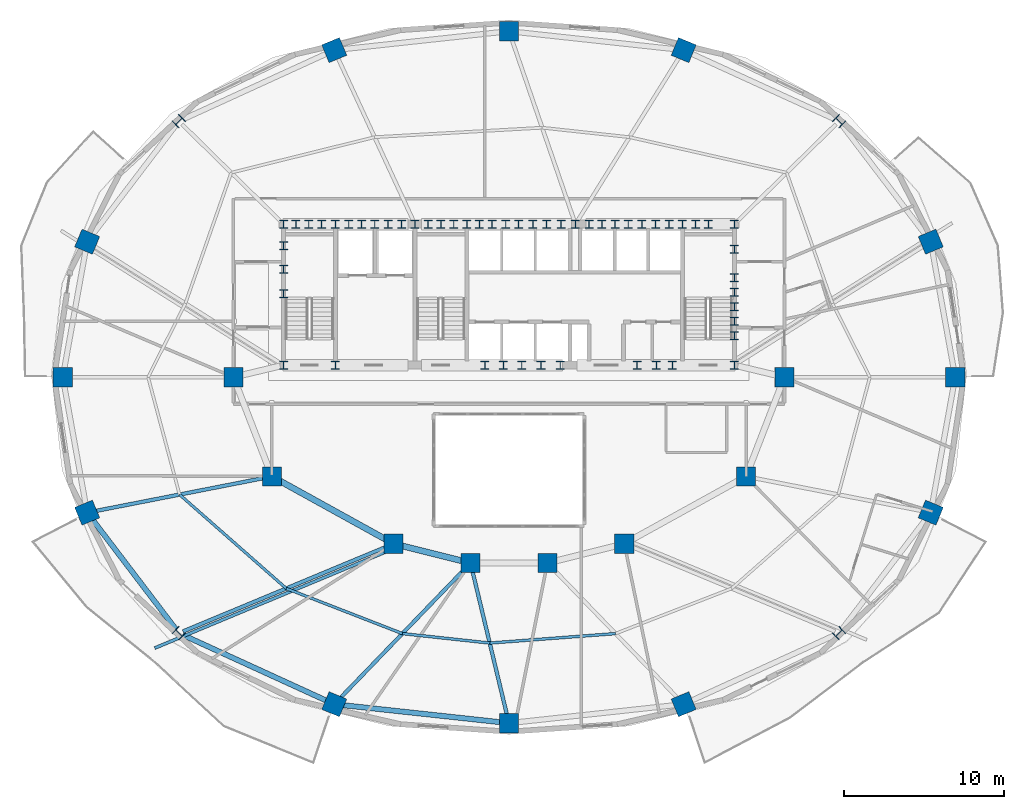
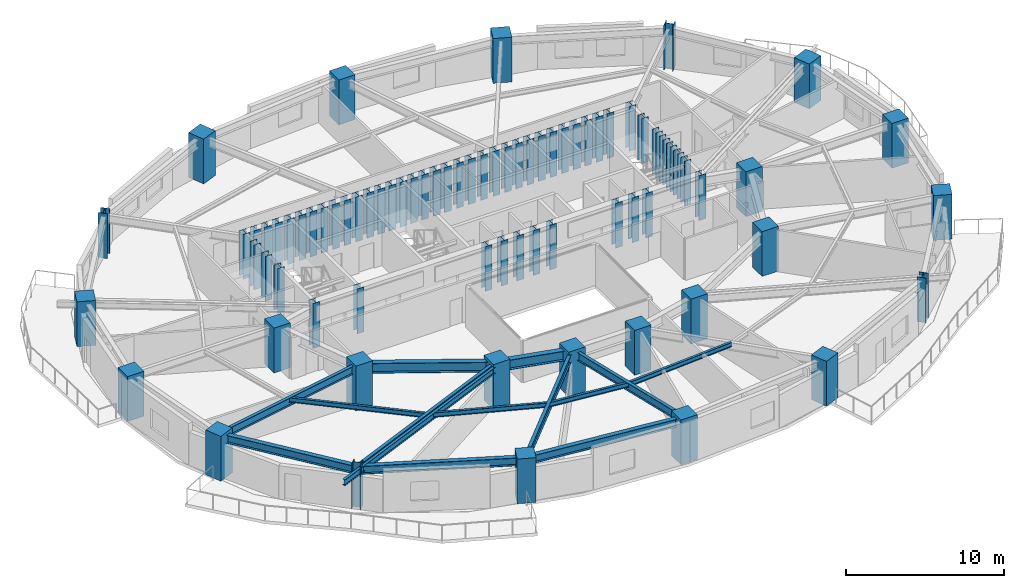
# One storey, part 1 of 12: 78 columns, 14 beams.
"""IFC4 building model written with IfcOpenShell, lengths in metres."""

from ifc_helpers import new_model, si_unit, direction, frame, origin, origin_2d, place, context, subcontext, project, spatial, rectangle, i_section, extrude, material, material_profile, profile_set, type_object, element, save


model = new_model("IFC4")

# Units and contexts
model_context = context("Model", 3, precision=1e-05, world=origin(), true_north=direction((0.0, 1.0)))
body_context = subcontext(model_context, "Body", "Model", "MODEL_VIEW")
ifc_project = project(units=[si_unit("LENGTHUNIT", "METRE"), si_unit("AREAUNIT", "SQUARE_METRE"), si_unit("VOLUMEUNIT", "CUBIC_METRE"), si_unit("PLANEANGLEUNIT", "RADIAN"), si_unit("MASSUNIT", "GRAM", prefix="KILO")], contexts=[model_context])

# Site, building, storey
site_placement = place(None, origin())
site = spatial("IfcSite", under=ifc_project, at=site_placement, CompositionType="ELEMENT")
building_placement = place(site_placement, origin())
building = spatial("IfcBuilding", under=site, at=building_placement, Name="Haldorwick Loom Tower", CompositionType="ELEMENT")
storey_placement = place(building_placement, frame((0.0, 0.0, 110.449951171875)))
storey = spatial("IfcBuildingStorey", under=building, at=storey_placement, Name="L29", CompositionType="ELEMENT", Elevation=110.449951171875)

# Columns
ifc_material_1 = material(Name="Concrete C60 (60 MPa)", Category="concrete")
ifc_material_profile_1 = material_profile(ifc_material_1, rectangle(XDim=1.199951171875, YDim=1.199951171875, at=origin_2d()), Name="RC1200X1200", Category="concrete")
ifc_profile_set_1 = profile_set([ifc_material_profile_1], Name="Concrete C60 (60 MPa)")
column_type_1 = type_object("IfcColumnType", Name="STR-COL-RC1200", PredefinedType="COLUMN", material=ifc_profile_set_1)
for number, where, z_axis, x_axis, name in (
    (1, (53.199951171875, 26.0, 0.0), (0.0, 0.0, 1.0), (1.0, 0.0, 0.0), "L29 Inner Column IC-01"),
    (2, (50.800048828125, 19.800048828125, 0.0), (0.0, 0.0, 1.0), (1.0, 0.0, 0.0), "L29 Inner Column IC-02"),
    (3, (43.199951171875, 15.60009765625, 0.0), (0.0, 0.0, 1.0), (1.0, 0.0, 0.0), "L29 Inner Column IC-03"),
    (4, (38.39990234375, 14.39990234375, 0.0), (0.0, 0.0, 1.0), (1.0, 0.0, 0.0), "L29 Inner Column IC-04"),
    (5, (33.60009765625, 14.39990234375, 0.0), (0.0, 0.0, 1.0), (1.0, 0.0, 0.0), "L29 Inner Column IC-05"),
    (6, (28.800048828125, 15.60009765625, 0.0), (0.0, 0.0, 1.0), (1.0, 0.0, 0.0), "L29 Inner Column IC-06"),
    (7, (21.199951171875, 19.800048828125, 0.0), (0.0, 0.0, 1.0), (1.0, 0.0, 0.0), "L29 Inner Column IC-07"),
    (8, (18.800048828125, 26.0, 0.0), (0.0, 0.0, 1.0), (1.0, 0.0, 0.0), "L29 Inner Column IC-08"),
    (9, (63.857666015625, 26.0, 0.0), (0.0, 0.0, 1.0), (1.0, 0.0, 0.0), "L29 Perimeter Pier Column P01"),
    (10, (62.33056640625, 34.457275390625, 0.0), (0.0, 0.0, 1.0), (0.923879532511, 0.382683432365, 0.0), "L29 Perimeter Pier Column P02"),
    (11, (46.906494140625, 46.417724609375, 0.0), (0.0, 0.0, 1.0), (0.382683432365, 0.923879532511, 0.0), "L29 Perimeter Pier Column P04"),
    (12, (36.0, 47.598388671875, 0.0), (0.0, 0.0, 1.0), (0.0, 1.0, 0.0), "L29 Perimeter Pier Column P05"),
    (13, (25.093505859375, 46.417724609375, 0.0), (0.0, 0.0, 1.0), (-0.382683432365, 0.923879532511, 0.0), "L29 Perimeter Pier Column P06"),
    (14, (9.66943359375, 34.457275390625, 0.0), (0.0, 0.0, 1.0), (-0.923879532511, 0.382683432365, 0.0), "L29 Perimeter Pier Column P08"),
    (15, (8.142333984375, 26.0, 0.0), (0.0, 0.0, 1.0), (-1.0, 0.0, 0.0), "L29 Perimeter Pier Column P09"),
    (16, (9.66943359375, 17.542724609375, 0.0), (0.0, 0.0, 1.0), (-0.923879532511, -0.382683432365, 0.0), "L29 Perimeter Pier Column P10"),
    (17, (25.093505859375, 5.582275390625, 0.0), (0.0, 0.0, 1.0), (-0.382683432365, -0.923879532511, 0.0), "L29 Perimeter Pier Column P12"),
    (18, (36.0, 4.401611328125, 0.0), (0.0, 0.0, 1.0), (0.0, -1.0, 0.0), "L29 Perimeter Pier Column P13"),
    (19, (46.906494140625, 5.582275390625, 0.0), (0.0, 0.0, 1.0), (0.382683432365, -0.923879532511, 0.0), "L29 Perimeter Pier Column P14"),
    (20, (62.33056640625, 17.542724609375, 0.0), (0.0, 0.0, 1.0), (0.923879532511, -0.382683432365, 0.0), "L29 Perimeter Pier Column P16"),
):
    element("IfcColumn", number, at=place(storey_placement, frame(where, z_axis=z_axis, x_axis=x_axis)), inside=storey, type_object=column_type_1, Name=name, PredefinedType="COLUMN", context=body_context, shape_type="SweptSolid", body=[
        extrude(rectangle(XDim=1.199951171875, YDim=1.199951171875, at=origin_2d()), origin(), (0.0, 0.0, 1.0), 3.449951171875),
    ])
ifc_material_2 = material(Name="Steel CSA G40.21 350WT", Category="steel")
ifc_material_profile_2 = material_profile(ifc_material_2, i_section(OverallWidth=0.5, OverallDepth=0.5, WebThickness=0.02197265625, FlangeThickness=0.031982421875, at=origin_2d()), Name="WWF500X500", Category="steel")
ifc_profile_set_2 = profile_set([ifc_material_profile_2], Name="Steel CSA G40.21 350WT")
column_type_2 = type_object("IfcColumnType", Name="STR-COL-WWF500", PredefinedType="COLUMN", material=ifc_profile_set_2)
for number, where, z_axis, x_axis, name in (
    (21, (21.929931640625, 35.550048828125, 0.0), (0.0, 0.0, 1.0), (1.0, 0.0, 0.0), "L29 Core Pilaster CB-01"),
    (22, (23.5, 35.550048828125, 0.0), (0.0, 0.0, 1.0), (1.0, 0.0, 0.0), "L29 Core Pilaster CB-02"),
    (23, (25.169921875, 35.550048828125, 0.0), (0.0, 0.0, 1.0), (1.0, 0.0, 0.0), "L29 Core Pilaster CB-03"),
    (24, (26.800048828125, 35.550048828125, 0.0), (0.0, 0.0, 1.0), (1.0, 0.0, 0.0), "L29 Core Pilaster CB-04"),
    (25, (28.449951171875, 35.550048828125, 0.0), (0.0, 0.0, 1.0), (1.0, 0.0, 0.0), "L29 Core Pilaster CB-05"),
    (26, (30.1298828125, 35.550048828125, 0.0), (0.0, 0.0, 1.0), (1.0, 0.0, 0.0), "L29 Core Pilaster CB-06"),
    (27, (31.75, 35.550048828125, 0.0), (0.0, 0.0, 1.0), (1.0, 0.0, 0.0), "L29 Core Pilaster CB-07"),
    (28, (33.3701171875, 35.550048828125, 0.0), (0.0, 0.0, 1.0), (1.0, 0.0, 0.0), "L29 Core Pilaster CB-08"),
    (29, (34.949951171875, 35.550048828125, 0.0), (0.0, 0.0, 1.0), (1.0, 0.0, 0.0), "L29 Core Pilaster CB-09"),
    (30, (36.60009765625, 35.550048828125, 0.0), (0.0, 0.0, 1.0), (1.0, 0.0, 0.0), "L29 Core Pilaster CB-10"),
    (31, (38.35009765625, 35.550048828125, 0.0), (0.0, 0.0, 1.0), (1.0, 0.0, 0.0), "L29 Core Pilaster CB-11"),
    (32, (40.14990234375, 35.550048828125, 0.0), (0.0, 0.0, 1.0), (1.0, 0.0, 0.0), "L29 Core Pilaster CB-12"),
    (33, (41.800048828125, 35.550048828125, 0.0), (0.0, 0.0, 1.0), (1.0, 0.0, 0.0), "L29 Core Pilaster CB-13"),
    (34, (43.449951171875, 35.550048828125, 0.0), (0.0, 0.0, 1.0), (1.0, 0.0, 0.0), "L29 Core Pilaster CB-14"),
    (35, (45.14990234375, 35.550048828125, 0.0), (0.0, 0.0, 1.0), (1.0, 0.0, 0.0), "L29 Core Pilaster CB-15"),
    (36, (46.830078125, 35.550048828125, 0.0), (0.0, 0.0, 1.0), (1.0, 0.0, 0.0), "L29 Core Pilaster CB-16"),
    (37, (48.449951171875, 35.550048828125, 0.0), (0.0, 0.0, 1.0), (1.0, 0.0, 0.0), "L29 Core Pilaster CB-17"),
    (38, (50.070068359375, 35.550048828125, 0.0), (0.0, 0.0, 1.0), (1.0, 0.0, 0.0), "L29 Core Pilaster CB-18"),
    (39, (21.929931640625, 26.75, 0.0), (0.0, 0.0, 1.0), (1.0, 0.0, 0.0), "L29 Core Pilaster CB-19"),
    (40, (25.169921875, 26.75, 0.0), (0.0, 0.0, 1.0), (1.0, 0.0, 0.0), "L29 Core Pilaster CB-20"),
    (41, (34.5, 26.75, 0.0), (0.0, 0.0, 1.0), (1.0, 0.0, 0.0), "L29 Core Pilaster CB-21"),
    (42, (36.800048828125, 26.75, 0.0), (0.0, 0.0, 1.0), (1.0, 0.0, 0.0), "L29 Core Pilaster CB-22"),
    (43, (39.199951171875, 26.75, 0.0), (0.0, 0.0, 1.0), (1.0, 0.0, 0.0), "L29 Core Pilaster CB-23"),
    (44, (45.199951171875, 26.75, 0.0), (0.0, 0.0, 1.0), (1.0, 0.0, 0.0), "L29 Core Pilaster CB-24"),
    (45, (50.070068359375, 26.75, 0.0), (0.0, 0.0, 1.0), (1.0, 0.0, 0.0), "L29 Core Pilaster CB-25"),
    (46, (21.929931640625, 31.199951171875, 0.0), (0.0, 0.0, 1.0), (1.0, 0.0, 0.0), "L29 Core Pilaster CB-26"),
    (47, (21.929931640625, 32.75, 0.0), (0.0, 0.0, 1.0), (1.0, 0.0, 0.0), "L29 Core Pilaster CB-27"),
    (48, (21.929931640625, 34.199951171875, 0.0), (0.0, 0.0, 1.0), (1.0, 0.0, 0.0), "L29 Core Pilaster CB-28"),
    (49, (50.070068359375, 28.60009765625, 0.0), (0.0, 0.0, 1.0), (1.0, 0.0, 0.0), "L29 Core Pilaster CB-29"),
    (50, (50.070068359375, 30.39990234375, 0.0), (0.0, 0.0, 1.0), (1.0, 0.0, 0.0), "L29 Core Pilaster CB-30"),
    (51, (50.070068359375, 32.199951171875, 0.0), (0.0, 0.0, 1.0), (1.0, 0.0, 0.0), "L29 Core Pilaster CB-31"),
    (52, (50.070068359375, 34.0, 0.0), (0.0, 0.0, 1.0), (1.0, 0.0, 0.0), "L29 Core Pilaster CB-32"),
    (53, (22.699951171875, 35.550048828125, 0.0), (0.0, 0.0, 1.0), (1.0, 0.0, 0.0), "L29 Core Pilaster CB-33"),
    (54, (27.6201171875, 35.550048828125, 0.0), (0.0, 0.0, 1.0), (1.0, 0.0, 0.0), "L29 Core Pilaster CB-34"),
    (55, (32.550048828125, 35.550048828125, 0.0), (0.0, 0.0, 1.0), (1.0, 0.0, 0.0), "L29 Core Pilaster CB-35"),
    (56, (37.5, 35.550048828125, 0.0), (0.0, 0.0, 1.0), (1.0, 0.0, 0.0), "L29 Core Pilaster CB-36"),
    (57, (42.6201171875, 35.550048828125, 0.0), (0.0, 0.0, 1.0), (1.0, 0.0, 0.0), "L29 Core Pilaster CB-37"),
    (58, (47.64990234375, 35.550048828125, 0.0), (0.0, 0.0, 1.0), (1.0, 0.0, 0.0), "L29 Core Pilaster CB-38"),
    (59, (24.300048828125, 35.550048828125, 0.0), (0.0, 0.0, 1.0), (1.0, 0.0, 0.0), "L29 Core Pilaster CB-39"),
    (60, (26.0, 35.550048828125, 0.0), (0.0, 0.0, 1.0), (1.0, 0.0, 0.0), "L29 Core Pilaster CB-40"),
    (61, (29.300048828125, 35.550048828125, 0.0), (0.0, 0.0, 1.0), (1.0, 0.0, 0.0), "L29 Core Pilaster CB-41"),
    (62, (30.949951171875, 35.550048828125, 0.0), (0.0, 0.0, 1.0), (1.0, 0.0, 0.0), "L29 Core Pilaster CB-42"),
    (63, (34.14990234375, 35.550048828125, 0.0), (0.0, 0.0, 1.0), (1.0, 0.0, 0.0), "L29 Core Pilaster CB-43"),
    (64, (35.800048828125, 35.550048828125, 0.0), (0.0, 0.0, 1.0), (1.0, 0.0, 0.0), "L29 Core Pilaster CB-44"),
    (65, (39.25, 35.550048828125, 0.0), (0.0, 0.0, 1.0), (1.0, 0.0, 0.0), "L29 Core Pilaster CB-45"),
    (66, (41.0, 35.550048828125, 0.0), (0.0, 0.0, 1.0), (1.0, 0.0, 0.0), "L29 Core Pilaster CB-46"),
    (67, (44.300048828125, 35.550048828125, 0.0), (0.0, 0.0, 1.0), (1.0, 0.0, 0.0), "L29 Core Pilaster CB-47"),
    (68, (46.0, 35.550048828125, 0.0), (0.0, 0.0, 1.0), (1.0, 0.0, 0.0), "L29 Core Pilaster CB-48"),
    (69, (50.070068359375, 29.5, 0.0), (0.0, 0.0, 1.0), (1.0, 0.0, 0.0), "L29 Core Pilaster CB-49"),
    (70, (50.070068359375, 31.300048828125, 0.0), (0.0, 0.0, 1.0), (1.0, 0.0, 0.0), "L29 Core Pilaster CB-50"),
    (71, (35.64990234375, 26.75, 0.0), (0.0, 0.0, 1.0), (1.0, 0.0, 0.0), "L29 Core Pilaster CB-51"),
    (72, (38.0, 26.75, 0.0), (0.0, 0.0, 1.0), (1.0, 0.0, 0.0), "L29 Core Pilaster CB-52"),
    (73, (44.0, 26.75, 0.0), (0.0, 0.0, 1.0), (1.0, 0.0, 0.0), "L29 Core Pilaster CB-53"),
    (74, (46.199951171875, 26.75, 0.0), (0.0, 0.0, 1.0), (1.0, 0.0, 0.0), "L29 Core Pilaster CB-54"),
):
    element("IfcColumn", number, at=place(storey_placement, frame(where, z_axis=z_axis, x_axis=x_axis)), inside=storey, type_object=column_type_2, Name=name, PredefinedType="COLUMN", context=body_context, shape_type="SweptSolid", body=[
        extrude(i_section(OverallWidth=0.5, OverallDepth=0.5, WebThickness=0.02197265625, FlangeThickness=0.031982421875, at=origin_2d()), origin(), (0.0, 0.0, 1.0), 3.449951171875),
    ])
ifc_material_profile_3 = material_profile(ifc_material_2, i_section(OverallWidth=0.60009765625, OverallDepth=0.60009765625, WebThickness=0.02490234375, FlangeThickness=0.035888671875, at=origin_2d()), Name="WWF600X600", Category="steel")
ifc_profile_set_3 = profile_set([ifc_material_profile_3], Name="Steel CSA G40.21 350WT")
column_type_3 = type_object("IfcColumnType", Name="STR-COL-WWF600", PredefinedType="COLUMN", material=ifc_profile_set_3)
for number, where, z_axis, x_axis, name in (
    (75, (56.606689453125, 41.981689453125, 0.0), (0.0, 0.0, 1.0), (0.707106781187, 0.707106781187, 0.0), "L29 Perimeter Pier Column P03"),
    (76, (15.393310546875, 41.981689453125, 0.0), (0.0, 0.0, 1.0), (-0.707106781187, 0.707106781187, 0.0), "L29 Perimeter Pier Column P07"),
    (77, (15.393310546875, 10.018310546875, 0.0), (0.0, 0.0, 1.0), (-0.707106781187, -0.707106781187, 0.0), "L29 Perimeter Pier Column P11"),
    (78, (56.606689453125, 10.018310546875, 0.0), (0.0, 0.0, 1.0), (0.707106781187, -0.707106781187, 0.0), "L29 Perimeter Pier Column P15"),
):
    element("IfcColumn", number, at=place(storey_placement, frame(where, z_axis=z_axis, x_axis=x_axis)), inside=storey, type_object=column_type_3, Name=name, PredefinedType="COLUMN", context=body_context, shape_type="SweptSolid", body=[
        extrude(i_section(OverallWidth=0.60009765625, OverallDepth=0.60009765625, WebThickness=0.02490234375, FlangeThickness=0.035888671875, at=origin_2d()), origin(), (0.0, 0.0, 1.0), 3.449951171875),
    ])

# Beams
ifc_material_3 = material(Name="Steel CSA G40.21 350W", Category="steel")
ifc_material_profile_4 = material_profile(ifc_material_3, i_section(OverallWidth=0.193115234375, OverallDepth=0.466064453125, WebThickness=0.011474609375, FlangeThickness=0.01904296875, at=origin_2d()), Name="W460X97", Category="steel")
ifc_profile_set_4 = profile_set([ifc_material_profile_4], Name="Steel CSA G40.21 350W")
beam_type_1 = type_object("IfcBeamType", Name="STR-BM-BAL460", PredefinedType="BEAM", material=ifc_profile_set_4)
beam_1_placement = place(storey_placement, frame((28.427490234375, 15.1416015625, 2.97705078125), z_axis=(-0.923185561192, -0.38435454935, 0.0), x_axis=(0.38435454935, -0.923185561192, 0.0)))
element("IfcBeam", 79, at=beam_1_placement, inside=storey, type_object=beam_type_1, Name="L29 Continuous Back-Spanned Balcony Beam 2", PredefinedType="BEAM", context=body_context, shape_type="SweptSolid", body=[
    extrude(i_section(OverallWidth=0.193115234375, OverallDepth=0.466064453125, WebThickness=0.011474609375, FlangeThickness=0.01904296875, at=origin_2d()), origin(), (0.0, 0.0, 1.0), 15.752197265625),
])
ifc_material_profile_5 = material_profile(ifc_material_3, i_section(OverallWidth=0.172119140625, OverallDepth=0.35791015625, WebThickness=0.0078125, FlangeThickness=0.01318359375, at=origin_2d()), Name="W360X57", Category="steel")
ifc_profile_set_5 = profile_set([ifc_material_profile_5], Name="Steel CSA G40.21 350W")
beam_type_2 = type_object("IfcBeamType", Name="STR-BM-J360", PredefinedType="JOIST", material=ifc_profile_set_5)
beam_2_placement = place(storey_placement, frame((15.434814453125, 18.67138671875, 3.031005859375), z_axis=(0.750721157729, -0.660619212057, 0.0), x_axis=(0.660619212057, 0.750721157729, 0.0)))
element("IfcBeam", 80, at=beam_2_placement, inside=storey, type_object=beam_type_2, Name="L29 Mid-Bay Secondary Joist 10", PredefinedType="JOIST", context=body_context, shape_type="SweptSolid", body=[
    extrude(i_section(OverallWidth=0.172119140625, OverallDepth=0.35791015625, WebThickness=0.0078125, FlangeThickness=0.01318359375, at=origin_2d()), origin(), (0.0, 0.0, 1.0), 8.8740234375),
])
beam_3_placement = place(storey_placement, frame((22.0966796875, 12.80908203125, 3.031005859375), z_axis=(0.932072983051, -0.362270553959, 0.0), x_axis=(0.362270553959, 0.932072983051, 0.0)))
element("IfcBeam", 81, at=beam_3_placement, inside=storey, type_object=beam_type_2, Name="L29 Mid-Bay Secondary Joist 11", PredefinedType="JOIST", context=body_context, shape_type="SweptSolid", body=[
    extrude(i_section(OverallWidth=0.172119140625, OverallDepth=0.35791015625, WebThickness=0.0078125, FlangeThickness=0.01318359375, at=origin_2d()), origin(), (0.0, 0.0, 1.0), 7.7783203125),
])
beam_4_placement = place(storey_placement, frame((29.3466796875, 9.9912109375, 3.031005859375), z_axis=(0.994191869342, -0.107622148904, 0.0), x_axis=(0.107622148904, 0.994191869342, 0.0)))
element("IfcBeam", 82, at=beam_4_placement, inside=storey, type_object=beam_type_2, Name="L29 Mid-Bay Secondary Joist 12", PredefinedType="JOIST", context=body_context, shape_type="SweptSolid", body=[
    extrude(i_section(OverallWidth=0.172119140625, OverallDepth=0.35791015625, WebThickness=0.0078125, FlangeThickness=0.01318359375, at=origin_2d()), origin(), (0.0, 0.0, 1.0), 5.485107421875),
])
beam_5_placement = place(storey_placement, frame((34.800048828125, 9.40087890625, 3.031005859375), z_axis=(0.99718663731, 0.074958724439, 0.0), x_axis=(-0.074958724439, 0.99718663731, 0.0)))
element("IfcBeam", 83, at=beam_5_placement, inside=storey, type_object=beam_type_2, Name="L29 Mid-Bay Secondary Joist 13", PredefinedType="JOIST", context=body_context, shape_type="SweptSolid", body=[
    extrude(i_section(OverallWidth=0.172119140625, OverallDepth=0.35791015625, WebThickness=0.0078125, FlangeThickness=0.01318359375, at=origin_2d()), origin(), (0.0, 0.0, 1.0), 7.87548828125),
])
ifc_material_profile_6 = material_profile(ifc_material_3, i_section(OverallWidth=0.324951171875, OverallDepth=0.615966796875, WebThickness=0.013916015625, FlangeThickness=0.021484375, at=origin_2d()), Name="W610X174", Category="steel")
ifc_profile_set_6 = profile_set([ifc_material_profile_6], Name="Steel CSA G40.21 350W")
beam_type_3 = type_object("IfcBeamType", Name="STR-BM-SP610", PredefinedType="SPANDREL", material=ifc_profile_set_6)
beam_6_placement = place(storey_placement, frame((9.984130859375, 17.12890625, 2.902099609375), z_axis=(0.605453508047, -0.795880675475, 0.0), x_axis=(0.795880675475, 0.605453508047, 0.0)))
element("IfcBeam", 84, at=beam_6_placement, inside=storey, type_object=beam_type_3, Name="L29 Perimeter Spandrel 10", PredefinedType="SPANDREL", context=body_context, shape_type="SweptSolid", body=[
    extrude(i_section(OverallWidth=0.324951171875, OverallDepth=0.615966796875, WebThickness=0.013916015625, FlangeThickness=0.021484375, at=origin_2d()), origin(), (0.0, 0.0, 1.0), 8.6591796875),
])
beam_7_placement = place(storey_placement, frame((15.643310546875, 9.90380859375, 2.902099609375), z_axis=(0.909423969306, -0.415870225011, 0.0), x_axis=(0.415870225011, 0.909423969306, 0.0)))
element("IfcBeam", 85, at=beam_7_placement, inside=storey, type_object=beam_type_3, Name="L29 Perimeter Spandrel 11", PredefinedType="SPANDREL", context=body_context, shape_type="SweptSolid", body=[
    extrude(i_section(OverallWidth=0.324951171875, OverallDepth=0.615966796875, WebThickness=0.013916015625, FlangeThickness=0.021484375, at=origin_2d()), origin(), (0.0, 0.0, 1.0), 9.871337890625),
])
beam_8_placement = place(storey_placement, frame((25.610595703125, 5.5263671875, 2.902099609375), z_axis=(0.994190135627, -0.107638163409, 0.0), x_axis=(0.107638163409, 0.994190135627, 0.0)))
element("IfcBeam", 86, at=beam_8_placement, inside=storey, type_object=beam_type_3, Name="L29 Perimeter Spandrel 12", PredefinedType="SPANDREL", context=body_context, shape_type="SweptSolid", body=[
    extrude(i_section(OverallWidth=0.324951171875, OverallDepth=0.615966796875, WebThickness=0.013916015625, FlangeThickness=0.021484375, at=origin_2d()), origin(), (0.0, 0.0, 1.0), 9.929931640625),
])
ifc_material_profile_7 = material_profile(ifc_material_3, i_section(OverallWidth=0.22998046875, OverallDepth=0.616943359375, WebThickness=0.01318359375, FlangeThickness=0.022216796875, at=origin_2d()), Name="W610X140", Category="steel")
ifc_profile_set_7 = profile_set([ifc_material_profile_7], Name="Steel CSA G40.21 350W")
beam_type_4 = type_object("IfcBeamType", Name="STR-BM-W610B", PredefinedType="BEAM", material=ifc_profile_set_7)
beam_9_placement = place(storey_placement, frame((20.689697265625, 19.7001953125, 2.901611328125), z_axis=(-0.981369581426, -0.192129499692, 0.0), x_axis=(0.192129499692, -0.981369581426, 0.0)))
element("IfcBeam", 87, at=beam_9_placement, inside=storey, type_object=beam_type_4, Name="L29 Radial Floor Girder 10", PredefinedType="BEAM", context=body_context, shape_type="SweptSolid", body=[
    extrude(i_section(OverallWidth=0.22998046875, OverallDepth=0.616943359375, WebThickness=0.01318359375, FlangeThickness=0.022216796875, at=origin_2d()), origin(), (0.0, 0.0, 1.0), 10.70947265625),
])
beam_10_placement = place(storey_placement, frame((28.31982421875, 15.400146484375, 2.901611328125), z_axis=(-0.923183704764, -0.384359008297, 0.0), x_axis=(0.384359008297, -0.923183704764, 0.0)))
element("IfcBeam", 88, at=beam_10_placement, inside=storey, type_object=beam_type_4, Name="L29 Radial Floor Girder 11", PredefinedType="BEAM", context=body_context, shape_type="SweptSolid", body=[
    extrude(i_section(OverallWidth=0.22998046875, OverallDepth=0.616943359375, WebThickness=0.01318359375, FlangeThickness=0.022216796875, at=origin_2d()), origin(), (0.0, 0.0, 1.0), 13.72705078125),
])
beam_11_placement = place(storey_placement, frame((33.239013671875, 14.02587890625, 2.901611328125), z_axis=(-0.694287071595, -0.719698174387, 0.0), x_axis=(0.719698174387, -0.694287071595, 0.0)))
element("IfcBeam", 89, at=beam_11_placement, inside=storey, type_object=beam_type_4, Name="L29 Radial Floor Girder 12", PredefinedType="BEAM", context=body_context, shape_type="SweptSolid", body=[
    extrude(i_section(OverallWidth=0.22998046875, OverallDepth=0.616943359375, WebThickness=0.01318359375, FlangeThickness=0.022216796875, at=origin_2d()), origin(), (0.0, 0.0, 1.0), 11.212158203125),
])
beam_12_placement = place(storey_placement, frame((33.721435546875, 13.894287109375, 2.901611328125), z_axis=(0.233406920764, -0.972379148964, 0.0), x_axis=(0.972379148964, 0.233406920764, 0.0)))
element("IfcBeam", 90, at=beam_12_placement, inside=storey, type_object=beam_type_4, Name="L29 Radial Floor Girder 13", PredefinedType="BEAM", context=body_context, shape_type="SweptSolid", body=[
    extrude(i_section(OverallWidth=0.22998046875, OverallDepth=0.616943359375, WebThickness=0.01318359375, FlangeThickness=0.022216796875, at=origin_2d()), origin(), (0.0, 0.0, 1.0), 9.242431640625),
])
ifc_material_profile_8 = material_profile(ifc_material_3, i_section(OverallWidth=0.381103515625, OverallDepth=0.77294921875, WebThickness=0.0166015625, FlangeThickness=0.027587890625, at=origin_2d()), Name="W760X257", Category="steel")
ifc_profile_set_8 = profile_set([ifc_material_profile_8], Name="Steel CSA G40.21 350W")
beam_type_5 = type_object("IfcBeamType", Name="STR-BM-W760", PredefinedType="BEAM", material=ifc_profile_set_8)
beam_13_placement = place(storey_placement, frame((33.095458984375, 14.526123046875, 2.823486328125), z_axis=(-0.970142500145, 0.242535625036, 0.0), x_axis=(-0.242535625036, -0.970142500145, 0.0)))
element("IfcBeam", 91, at=beam_13_placement, inside=storey, type_object=beam_type_5, Name="L29 Inner Ring Girder 6", PredefinedType="BEAM", context=body_context, shape_type="SweptSolid", body=[
    extrude(i_section(OverallWidth=0.381103515625, OverallDepth=0.77294921875, WebThickness=0.0166015625, FlangeThickness=0.027587890625, at=origin_2d()), origin(), (0.0, 0.0, 1.0), 3.90771484375),
])
beam_14_placement = place(storey_placement, frame((28.344970703125, 15.8515625, 2.823486328125), z_axis=(-0.875244382146, 0.483680960471, 0.0), x_axis=(-0.483680960471, -0.875244382146, 0.0)))
element("IfcBeam", 92, at=beam_14_placement, inside=storey, type_object=beam_type_5, Name="L29 Inner Ring Girder 7", PredefinedType="BEAM", context=body_context, shape_type="SweptSolid", body=[
    extrude(i_section(OverallWidth=0.381103515625, OverallDepth=0.77294921875, WebThickness=0.0166015625, FlangeThickness=0.027587890625, at=origin_2d()), origin(), (0.0, 0.0, 1.0), 7.6435546875),
])

save(model, "model.ifc")
